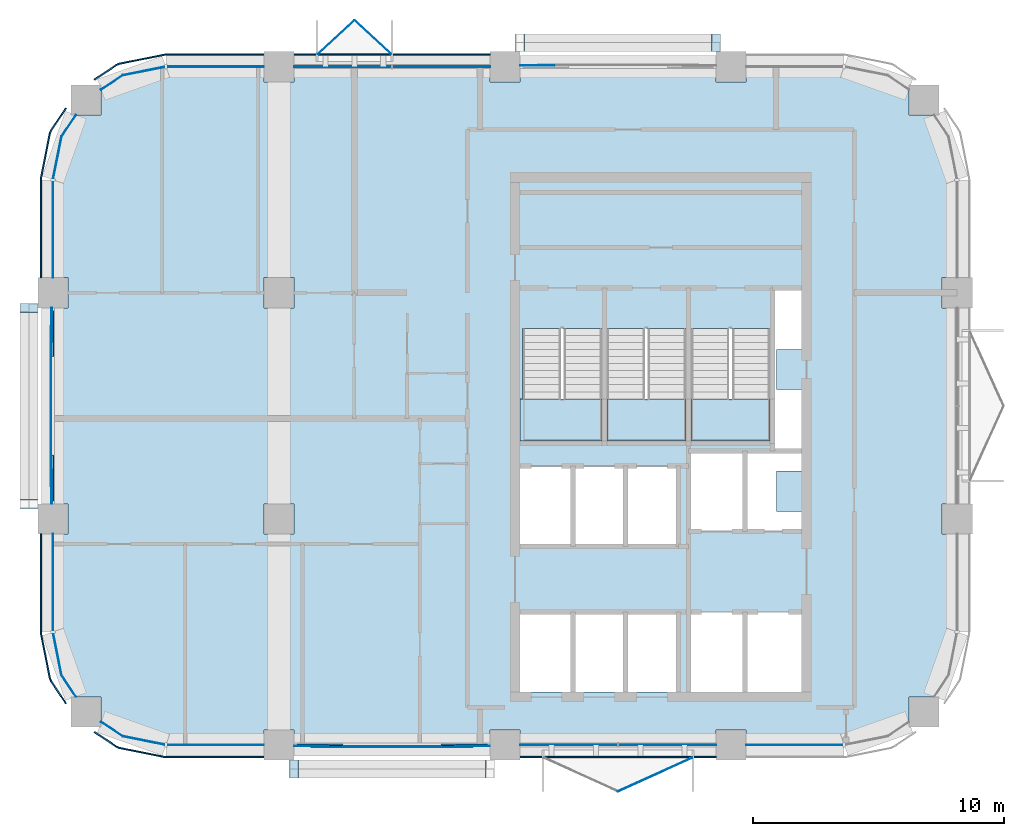
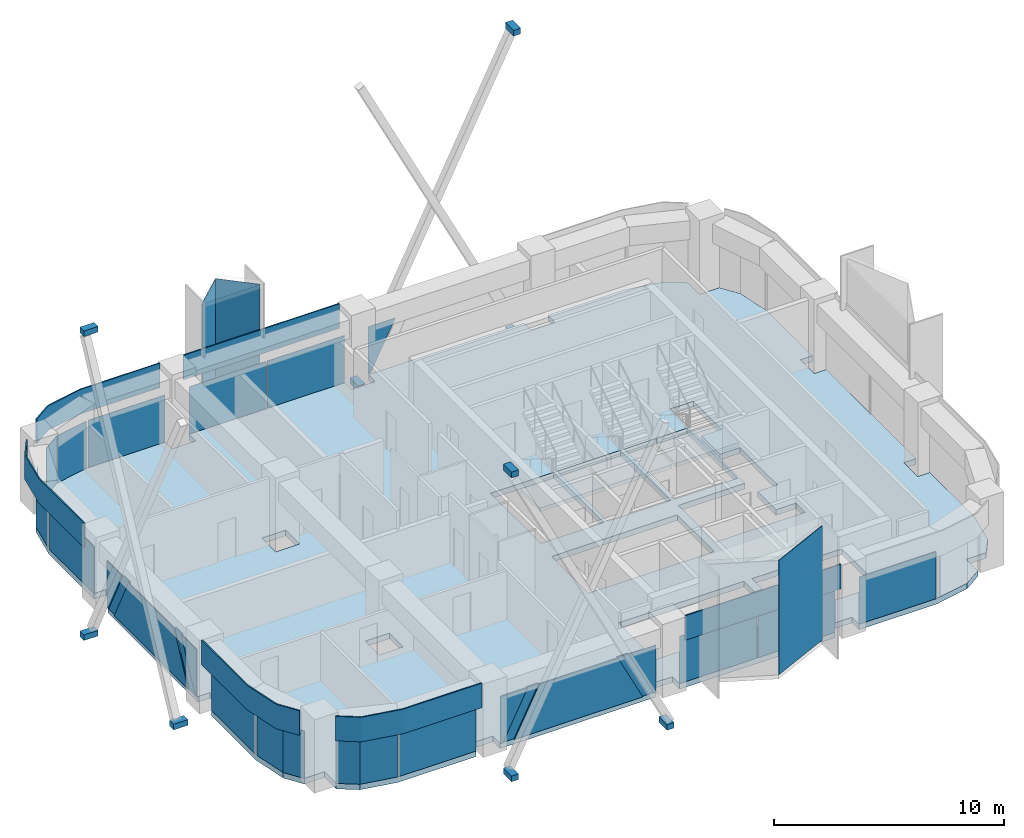
# One storey, part 6 of 11: 33 plates, 9 members, 4 slabs, 13 elements without a shape of their own.
"""IFC4 building model written with IfcOpenShell, lengths in metres."""

from ifc_helpers import new_model, si_unit, direction, frame, origin, origin_2d, place, context, subcontext, project, spatial, polyline, rectangle, outline, extrude, material, layer, layer_set, type_object, element, aggregate, save


model = new_model("IFC4")

# Units and contexts
model_context = context("Model", 3, precision=1e-05, world=origin(), true_north=direction((0.0, 1.0)))
body_context = subcontext(model_context, "Body", "Model", "MODEL_VIEW")
ifc_project = project(units=[si_unit("LENGTHUNIT", "METRE"), si_unit("AREAUNIT", "SQUARE_METRE"), si_unit("VOLUMEUNIT", "CUBIC_METRE"), si_unit("PLANEANGLEUNIT", "RADIAN"), si_unit("MASSUNIT", "GRAM", prefix="KILO")], contexts=[model_context])

# Site, building, storey
site_placement = place(None, origin())
site = spatial("IfcSite", under=ifc_project, at=site_placement, CompositionType="ELEMENT")
building_placement = place(site_placement, origin())
building = spatial("IfcBuilding", under=site, at=building_placement, Name="Tessera Arch", CompositionType="ELEMENT")
storey_placement = place(building_placement, frame((0.0, 0.0, 250.10009765625)))
storey = spatial("IfcBuildingStorey", under=building, at=storey_placement, Name="L60", CompositionType="ELEMENT", Elevation=250.10009765625)

# Members
ifc_material_1 = material(Name="Steel A572 Gr50", Category="steel")
ifc_layer_1 = layer(ifc_material_1, 0.050048828125)
ifc_layer_set_1 = layer_set([ifc_layer_1], Name="Node block Steel A572 Gr50")
member_type = type_object("IfcMemberType", Name="Node block Steel A572 Gr50", PredefinedType="PLATE", material=ifc_layer_set_1)
for number, where, z_axis, x_axis, name in (
    (1, (36.60009765625, 54.95556640625, -1.2021484375), (0.0, 0.0, 1.0), (-1.0, 0.0, 0.0), "Node block seat N54.18-1 1 L60"),
    (2, (44.39990234375, 54.95556640625, -1.2021484375), (0.0, 0.0, 1.0), (-1.0, 0.0, 0.0), "Node block seat N54.18-1 2 L60"),
    (3, (44.39990234375, 54.95556640625, 14.90185546875), (0.0, 0.0, 1.0), (-1.0, 0.0, 0.0), "Node block head N54.18-1 B L60"),
    (4, (17.04443359375, 36.60009765625, -1.2021484375), (0.0, 0.0, 1.0), (0.0, -1.0, 0.0), "Node block seat W18.27-1 1 L60"),
    (5, (17.04443359375, 44.39990234375, -1.2021484375), (0.0, 0.0, 1.0), (0.0, -1.0, 0.0), "Node block seat W18.27-1 2 L60"),
    (6, (17.04443359375, 44.39990234375, 14.90185546875), (0.0, 0.0, 1.0), (0.0, -1.0, 0.0), "Node block head W18.27-1 B L60"),
    (7, (35.39990234375, 26.04443359375, -1.2021484375), (0.0, 0.0, 1.0), (1.0, 0.0, 0.0), "Node block seat S27.18-1 1 L60"),
    (8, (27.60009765625, 26.04443359375, -1.2021484375), (0.0, 0.0, 1.0), (1.0, 0.0, 0.0), "Node block seat S27.18-1 2 L60"),
    (9, (27.60009765625, 26.04443359375, 14.90185546875), (0.0, 0.0, 1.0), (1.0, 0.0, 0.0), "Node block head S27.18-1 B L60"),
):
    element("IfcMember", number, at=place(storey_placement, frame(where, z_axis=z_axis, x_axis=x_axis)), inside=storey, type_object=member_type, Name=name, PredefinedType="PLATE", context=body_context, shape_type="SweptSolid", body=[
        extrude(rectangle(XDim=0.355712890625, YDim=0.711181640625, at=origin_2d()), origin(), (0.0, 0.0, 1.0), 0.300048828125),
    ])

# Curtain wall, plates
ifc_material_2 = material(Name="CW1 curtain wall")
curtain_wall_type_1 = type_object("IfcCurtainWallType", Name="CW1 curtain wall", PredefinedType="NOTDEFINED", material=ifc_material_2)
curtain_wall_1_placement = place(storey_placement, origin())
curtain_wall_1 = element("IfcCurtainWall", 10, at=curtain_wall_1_placement, inside=storey, type_object=curtain_wall_type_1, Name="CW1 curtain wall N54.18/2 L60", PredefinedType="NOTDEFINED")
ifc_material_3 = material(Name="Clear low-e glass", Category="glass")
ifc_material_4 = material(Name="Clear low-e glass", Category="glass")
ifc_layer_2 = layer(ifc_material_4, 0.028076171875)
ifc_layer_set_2 = layer_set([ifc_layer_2], Name="CW1 glass panel")
plate_type_1 = type_object("IfcPlateType", Name="CW1 glass panel", PredefinedType="CURTAIN_PANEL", material=ifc_layer_set_2)
plate_1_placement = place(storey_placement, frame((33.465087890625, 54.0, 0.0), z_axis=(0.0, 0.0, 1.0), x_axis=(-1.0, 0.0, 0.0)))
plate_1 = element("IfcPlate", 11, at=plate_1_placement, type_object=plate_type_1, material=ifc_material_3, Name="CW1 glass panel N54.18/2 1.1.1", PredefinedType="CURTAIN_PANEL", context=body_context, shape_type="SweptSolid", body=[
    extrude(rectangle(XDim=3.8701171875, YDim=0.028076171875, at=origin_2d()), origin(), (0.0, 0.0, 1.0), 2.5),
])
plate_2_placement = place(storey_placement, frame((29.534912109375, 54.0, 0.0), z_axis=(0.0, 0.0, 1.0), x_axis=(-1.0, 0.0, 0.0)))
plate_2 = element("IfcPlate", 12, at=plate_2_placement, type_object=plate_type_1, material=ifc_material_3, Name="CW1 glass panel N54.18/2 1.2.1", PredefinedType="CURTAIN_PANEL", context=body_context, shape_type="SweptSolid", body=[
    extrude(rectangle(XDim=3.8701171875, YDim=0.028076171875, at=origin_2d()), origin(), (0.0, 0.0, 1.0), 2.5),
])

curtain_wall_2_placement = place(storey_placement, origin())
curtain_wall_2 = element("IfcCurtainWall", 13, at=curtain_wall_2_placement, inside=storey, type_object=curtain_wall_type_1, Name="CW1 curtain wall S27.18/2 L60", PredefinedType="NOTDEFINED")
plate_3_placement = place(storey_placement, frame((38.534912109375, 27.0, 0.0), z_axis=(0.0, 0.0, 1.0), x_axis=(1.0, 0.0, 0.0)))
plate_3 = element("IfcPlate", 14, at=plate_3_placement, type_object=plate_type_1, material=ifc_material_3, Name="CW1 glass panel S27.18/2 1.1.1", PredefinedType="CURTAIN_PANEL", context=body_context, shape_type="SweptSolid", body=[
    extrude(rectangle(XDim=3.8701171875, YDim=0.028076171875, at=origin_2d()), origin(), (0.0, 0.0, 1.0), 2.5),
])
plate_4_placement = place(storey_placement, frame((42.465087890625, 27.0, 0.0), z_axis=(0.0, 0.0, 1.0), x_axis=(1.0, 0.0, 0.0)))
plate_4 = element("IfcPlate", 15, at=plate_4_placement, type_object=plate_type_1, material=ifc_material_3, Name="CW1 glass panel S27.18/2 1.2.1", PredefinedType="CURTAIN_PANEL", context=body_context, shape_type="SweptSolid", body=[
    extrude(rectangle(XDim=3.8701171875, YDim=0.028076171875, at=origin_2d()), origin(), (0.0, 0.0, 1.0), 2.5),
])

# Plate
ifc_material_5 = material(Name="Pale anodised aluminium panel", Category="aluminium")
ifc_layer_3 = layer(ifc_material_5, 0.06005859375)
ifc_layer_set_3 = layer_set([ifc_layer_3], Name="CW1 spandrel panel")
plate_type_2 = type_object("IfcPlateType", Name="CW1 spandrel panel", PredefinedType="CURTAIN_PANEL", material=ifc_layer_set_3)
plate_5_placement = place(storey_placement, frame((31.5, 54.47998046875, 2.60009765625), z_axis=(0.0, 0.0, 1.0), x_axis=(-1.0, 0.0, 0.0)))
plate_5 = element("IfcPlate", 16, at=plate_5_placement, type_object=plate_type_2, Name="CW1 spandrel panel N54.18/2", PredefinedType="CURTAIN_PANEL", context=body_context, shape_type="SweptSolid", body=[
    extrude(rectangle(XDim=7.800048828125, YDim=0.06005859375, at=origin_2d()), origin(), (0.0, 0.0, 1.0), 1.300048828125),
])

aggregate(curtain_wall_1, [plate_1, plate_2, plate_5])

plate_6_placement = place(storey_placement, frame((40.5, 26.52001953125, 2.60009765625), z_axis=(0.0, 0.0, 1.0), x_axis=(1.0, 0.0, 0.0)))
plate_6 = element("IfcPlate", 17, at=plate_6_placement, type_object=plate_type_2, Name="CW1 spandrel panel S27.18/2", PredefinedType="CURTAIN_PANEL", context=body_context, shape_type="SweptSolid", body=[
    extrude(rectangle(XDim=7.800048828125, YDim=0.06005859375, at=origin_2d()), origin(), (0.0, 0.0, 1.0), 1.300048828125),
])

aggregate(curtain_wall_2, [plate_3, plate_4, plate_6])

# Curtain wall, plates
ifc_material_6 = material(Name="CW2 curtain wall")
curtain_wall_type_2 = type_object("IfcCurtainWallType", Name="CW2 curtain wall", PredefinedType="NOTDEFINED", material=ifc_material_6)
curtain_wall_3_placement = place(storey_placement, origin())
curtain_wall_3 = element("IfcCurtainWall", 18, at=curtain_wall_3_placement, inside=storey, type_object=curtain_wall_type_2, Name="CW2 curtain wall N54.18/3 L60", PredefinedType="NOTDEFINED")
ifc_material_7 = material(Name="Clear low-e glass", Category="glass")
ifc_layer_4 = layer(ifc_material_7, 0.028076171875)
ifc_layer_set_4 = layer_set([ifc_layer_4], Name="CW2 glass panel")
plate_type_3 = type_object("IfcPlateType", Name="CW2 glass panel", PredefinedType="CURTAIN_PANEL", material=ifc_layer_set_4)
plate_7_placement = place(storey_placement, frame((24.469970703125, 54.0, 0.0), z_axis=(0.0, 0.0, 1.0), x_axis=(-1.0, 0.0, 0.0)))
plate_7 = element("IfcPlate", 19, at=plate_7_placement, type_object=plate_type_3, material=ifc_material_3, Name="CW2 glass panel N54.18/3 1.1", PredefinedType="CURTAIN_PANEL", context=body_context, shape_type="SweptSolid", body=[
    extrude(rectangle(XDim=3.860107421875, YDim=0.028076171875, at=origin_2d()), origin(), (0.0, 0.0, 1.0), 2.5),
])
plate_8_placement = place(storey_placement, origin())
plate_8 = element("IfcPlate", 20, at=plate_8_placement, type_object=plate_type_3, material=ifc_material_3, Name="CW2 curved glass panel N54.18/3 2.1", PredefinedType="CURTAIN_PANEL", context=body_context, shape_type="SweptSolid", body=[
    extrude(outline(polyline([(20.783447265625, 53.644287109375), (22.46337890625, 53.978515625), (22.4580078125, 54.005859375), (20.7724609375, 53.670654296875), (19.91015625, 53.094482421875), (19.92578125, 53.0712890625), (20.783447265625, 53.644287109375)])), origin(), (0.0, 0.0, 1.0), 2.5),
])

curtain_wall_4_placement = place(storey_placement, origin())
curtain_wall_4 = element("IfcCurtainWall", 21, at=curtain_wall_4_placement, inside=storey, type_object=curtain_wall_type_2, Name="CW2 curtain wall W18.27/0 L60", PredefinedType="NOTDEFINED")
plate_9_placement = place(storey_placement, frame((18.0, 47.530029296875, 0.0), z_axis=(0.0, 0.0, 1.0), x_axis=(0.0, -1.0, 0.0)))
plate_9 = element("IfcPlate", 22, at=plate_9_placement, type_object=plate_type_3, material=ifc_material_3, Name="CW2 glass panel W18.27/0 1.1", PredefinedType="CURTAIN_PANEL", context=body_context, shape_type="SweptSolid", body=[
    extrude(rectangle(XDim=3.860107421875, YDim=0.028076171875, at=origin_2d()), origin(), (0.0, 0.0, 1.0), 2.5),
])
plate_10_placement = place(storey_placement, origin())
plate_10 = element("IfcPlate", 23, at=plate_10_placement, type_object=plate_type_3, material=ifc_material_3, Name="CW2 curved glass panel W18.27/0 2.1", PredefinedType="CURTAIN_PANEL", context=body_context, shape_type="SweptSolid", body=[
    extrude(outline(polyline([(18.355712890625, 51.216552734375), (18.9287109375, 52.07421875), (18.905517578125, 52.08984375), (18.329345703125, 51.2275390625), (17.994140625, 49.5419921875), (18.021484375, 49.53662109375), (18.355712890625, 51.216552734375)])), origin(), (0.0, 0.0, 1.0), 2.5),
])

curtain_wall_5_placement = place(storey_placement, origin())
curtain_wall_5 = element("IfcCurtainWall", 24, at=curtain_wall_5_placement, inside=storey, type_object=curtain_wall_type_2, Name="CW2 curtain wall W18.27/2 L60", PredefinedType="NOTDEFINED")
plate_11_placement = place(storey_placement, frame((18.0, 33.469970703125, 0.0), z_axis=(0.0, 0.0, 1.0), x_axis=(0.0, -1.0, 0.0)))
plate_11 = element("IfcPlate", 25, at=plate_11_placement, type_object=plate_type_3, material=ifc_material_3, Name="CW2 glass panel W18.27/2 1.1", PredefinedType="CURTAIN_PANEL", context=body_context, shape_type="SweptSolid", body=[
    extrude(rectangle(XDim=3.860107421875, YDim=0.028076171875, at=origin_2d()), origin(), (0.0, 0.0, 1.0), 2.5),
])
plate_12_placement = place(storey_placement, origin())
plate_12 = element("IfcPlate", 26, at=plate_12_placement, type_object=plate_type_3, material=ifc_material_3, Name="CW2 curved glass panel W18.27/2 2.1", PredefinedType="CURTAIN_PANEL", context=body_context, shape_type="SweptSolid", body=[
    extrude(outline(polyline([(18.355712890625, 29.783447265625), (18.021484375, 31.46337890625), (17.994140625, 31.4580078125), (18.329345703125, 29.7724609375), (18.905517578125, 28.91015625), (18.9287109375, 28.92578125), (18.355712890625, 29.783447265625)])), origin(), (0.0, 0.0, 1.0), 2.5),
])

curtain_wall_6_placement = place(storey_placement, origin())
curtain_wall_6 = element("IfcCurtainWall", 27, at=curtain_wall_6_placement, inside=storey, type_object=curtain_wall_type_2, Name="CW2 curtain wall S27.18/0 L60", PredefinedType="NOTDEFINED")
plate_13_placement = place(storey_placement, frame((24.469970703125, 27.0, 0.0), z_axis=(0.0, 0.0, 1.0), x_axis=(1.0, 0.0, 0.0)))
plate_13 = element("IfcPlate", 28, at=plate_13_placement, type_object=plate_type_3, material=ifc_material_3, Name="CW2 glass panel S27.18/0 1.1", PredefinedType="CURTAIN_PANEL", context=body_context, shape_type="SweptSolid", body=[
    extrude(rectangle(XDim=3.860107421875, YDim=0.028076171875, at=origin_2d()), origin(), (0.0, 0.0, 1.0), 2.5),
])
plate_14_placement = place(storey_placement, origin())
plate_14 = element("IfcPlate", 29, at=plate_14_placement, type_object=plate_type_3, material=ifc_material_3, Name="CW2 curved glass panel S27.18/0 2.1", PredefinedType="CURTAIN_PANEL", context=body_context, shape_type="SweptSolid", body=[
    extrude(outline(polyline([(20.783447265625, 27.355712890625), (19.92578125, 27.9287109375), (19.91015625, 27.905517578125), (20.7724609375, 27.329345703125), (22.4580078125, 26.994140625), (22.46337890625, 27.021484375), (20.783447265625, 27.355712890625)])), origin(), (0.0, 0.0, 1.0), 2.5),
])

# Curtain wall, plate
curtain_wall_7_placement = place(storey_placement, origin())
curtain_wall_7 = element("IfcCurtainWall", 30, at=curtain_wall_7_placement, inside=storey, type_object=curtain_wall_type_2, Name="CW2 curtain wall S27.18/3 L60", PredefinedType="NOTDEFINED")
plate_15_placement = place(storey_placement, frame((47.530029296875, 27.0, 0.0), z_axis=(0.0, 0.0, 1.0), x_axis=(1.0, 0.0, 0.0)))
plate_15 = element("IfcPlate", 31, at=plate_15_placement, type_object=plate_type_3, material=ifc_material_3, Name="CW2 glass panel S27.18/3 1.1", PredefinedType="CURTAIN_PANEL", context=body_context, shape_type="SweptSolid", body=[
    extrude(rectangle(XDim=3.860107421875, YDim=0.028076171875, at=origin_2d()), origin(), (0.0, 0.0, 1.0), 2.5),
])
aggregate(curtain_wall_7, [plate_15])

# Plate
ifc_material_8 = material(Name="Pale anodised aluminium panel", Category="aluminium")
ifc_layer_5 = layer(ifc_material_8, 0.06005859375)
ifc_layer_set_5 = layer_set([ifc_layer_5], Name="CW2 spandrel panel")
plate_type_4 = type_object("IfcPlateType", Name="CW2 spandrel panel", PredefinedType="CURTAIN_PANEL", material=ifc_layer_set_5)
plate_16_placement = place(storey_placement, frame((0.0, 0.0, 2.599853515625)))
plate_16 = element("IfcPlate", 32, at=plate_16_placement, type_object=plate_type_4, Name="CW2 spandrel panel N54.18/3", PredefinedType="CURTAIN_PANEL", context=body_context, shape_type="SweptSolid", body=[
    extrude(outline(polyline([(22.500732421875, 54.449951171875), (26.39990234375, 54.449951171875), (26.39990234375, 54.510009765625), (22.499267578125, 54.510009765625), (22.449951171875, 54.507568359375), (22.401123046875, 54.500244140625), (20.677734375, 54.157470703125), (20.6298828125, 54.1455078125), (20.582763671875, 54.128662109375), (20.537353515625, 54.107421875), (20.4951171875, 54.08203125), (19.634765625, 53.5068359375), (19.66796875, 53.45703125), (20.52734375, 54.03125), (20.565673828125, 54.054443359375), (20.605712890625, 54.0732421875), (20.647216796875, 54.088134765625), (20.69091796875, 54.09912109375), (22.411376953125, 54.441162109375), (22.455810546875, 54.44775390625), (22.500732421875, 54.449951171875)])), origin(), (0.0, 0.0, 1.0), 1.300048828125),
])

aggregate(curtain_wall_3, [plate_7, plate_8, plate_16])

plate_17_placement = place(storey_placement, frame((0.0, 0.0, 2.599853515625)))
plate_17 = element("IfcPlate", 33, at=plate_17_placement, type_object=plate_type_4, Name="CW2 spandrel panel W18.27/0", PredefinedType="CURTAIN_PANEL", context=body_context, shape_type="SweptSolid", body=[
    extrude(outline(polyline([(17.96875, 51.47265625), (18.54296875, 52.33203125), (18.4931640625, 52.365234375), (17.91796875, 51.5048828125), (17.892578125, 51.462646484375), (17.871337890625, 51.417236328125), (17.8544921875, 51.3701171875), (17.842529296875, 51.322265625), (17.499755859375, 49.598876953125), (17.492431640625, 49.550048828125), (17.489990234375, 49.500732421875), (17.489990234375, 45.60009765625), (17.550048828125, 45.60009765625), (17.550048828125, 49.499267578125), (17.55224609375, 49.544189453125), (17.558837890625, 49.588623046875), (17.90087890625, 51.30908203125), (17.911865234375, 51.352783203125), (17.9267578125, 51.394287109375), (17.945556640625, 51.434326171875), (17.96875, 51.47265625)])), origin(), (0.0, 0.0, 1.0), 1.300048828125),
])

aggregate(curtain_wall_4, [plate_9, plate_10, plate_17])

plate_18_placement = place(storey_placement, frame((0.0, 0.0, 2.599853515625)))
plate_18 = element("IfcPlate", 34, at=plate_18_placement, type_object=plate_type_4, Name="CW2 spandrel panel W18.27/2", PredefinedType="CURTAIN_PANEL", context=body_context, shape_type="SweptSolid", body=[
    extrude(outline(polyline([(17.550048828125, 31.500732421875), (17.550048828125, 35.39990234375), (17.489990234375, 35.39990234375), (17.489990234375, 31.499267578125), (17.492431640625, 31.449951171875), (17.499755859375, 31.401123046875), (17.842529296875, 29.677734375), (17.8544921875, 29.6298828125), (17.871337890625, 29.582763671875), (17.892578125, 29.537353515625), (17.91796875, 29.4951171875), (18.4931640625, 28.634765625), (18.54296875, 28.66796875), (17.96875, 29.52734375), (17.945556640625, 29.565673828125), (17.9267578125, 29.605712890625), (17.911865234375, 29.647216796875), (17.90087890625, 29.69091796875), (17.558837890625, 31.411376953125), (17.55224609375, 31.455810546875), (17.550048828125, 31.500732421875)])), origin(), (0.0, 0.0, 1.0), 1.300048828125),
])

aggregate(curtain_wall_5, [plate_11, plate_12, plate_18])

plate_19_placement = place(storey_placement, frame((0.0, 0.0, 2.599853515625)))
plate_19 = element("IfcPlate", 35, at=plate_19_placement, type_object=plate_type_4, Name="CW2 spandrel panel S27.18/0", PredefinedType="CURTAIN_PANEL", context=body_context, shape_type="SweptSolid", body=[
    extrude(outline(polyline([(20.52734375, 26.96875), (19.66796875, 27.54296875), (19.634765625, 27.4931640625), (20.4951171875, 26.91796875), (20.537353515625, 26.892578125), (20.582763671875, 26.871337890625), (20.6298828125, 26.8544921875), (20.677734375, 26.842529296875), (22.401123046875, 26.499755859375), (22.449951171875, 26.492431640625), (22.499267578125, 26.489990234375), (26.39990234375, 26.489990234375), (26.39990234375, 26.550048828125), (22.500732421875, 26.550048828125), (22.455810546875, 26.55224609375), (22.411376953125, 26.558837890625), (20.69091796875, 26.90087890625), (20.647216796875, 26.911865234375), (20.605712890625, 26.9267578125), (20.565673828125, 26.945556640625), (20.52734375, 26.96875)])), origin(), (0.0, 0.0, 1.0), 1.300048828125),
])

aggregate(curtain_wall_6, [plate_13, plate_14, plate_19])

# Curtain wall, plates
ifc_material_9 = material(Name="CW3 curtain wall")
curtain_wall_type_3 = type_object("IfcCurtainWallType", Name="CW3 curtain wall", PredefinedType="NOTDEFINED", material=ifc_material_9)
curtain_wall_8_placement = place(storey_placement, origin())
curtain_wall_8 = element("IfcCurtainWall", 36, at=curtain_wall_8_placement, inside=storey, type_object=curtain_wall_type_3, Name="CW3 curtain wall W18.27/1 L60", PredefinedType="NOTDEFINED")
ifc_material_10 = material(Name="Pale anodised aluminium panel", Category="aluminium")
ifc_layer_6 = layer(ifc_material_10, 0.06005859375)
ifc_layer_set_6 = layer_set([ifc_layer_6], Name="CW3 diagonal panel")
plate_type_5 = type_object("IfcPlateType", Name="CW3 diagonal panel", PredefinedType="CURTAIN_PANEL", material=ifc_layer_set_6)
plate_20_placement = place(storey_placement, frame((17.969970703125, 37.9677734375, 2.5), z_axis=(-1.0, 0.0, 0.0), x_axis=(0.0, 1.0, 0.0)))
plate_20 = element("IfcPlate", 37, at=plate_20_placement, type_object=plate_type_5, Name="CW3 diagonal panel W18.27/1 1", PredefinedType="CURTAIN_PANEL", context=body_context, shape_type="SweptSolid", body=[
    extrude(outline(polyline([(0.0, 0.0), (0.564453125, 0.0), (-0.685546875, 2.5), (-1.25, 2.5), (0.0, 0.0)])), origin(), (0.0, 0.0, -1.0), 0.06005859375),
])
plate_21_placement = place(storey_placement, frame((17.969970703125, 42.4677734375, 2.5), z_axis=(-1.0, 0.0, 0.0), x_axis=(0.0, 1.0, 0.0)))
plate_21 = element("IfcPlate", 38, at=plate_21_placement, type_object=plate_type_5, Name="CW3 diagonal panel W18.27/1 2", PredefinedType="CURTAIN_PANEL", context=body_context, shape_type="SweptSolid", body=[
    extrude(outline(polyline([(0.0, 0.0), (0.564453125, 0.0), (1.814453125, 2.5), (1.25, 2.5), (0.0, 0.0)])), origin(), (0.0, 0.0, -1.0), 0.06005859375),
])

curtain_wall_9_placement = place(storey_placement, origin())
curtain_wall_9 = element("IfcCurtainWall", 39, at=curtain_wall_9_placement, inside=storey, type_object=curtain_wall_type_3, Name="CW3 curtain wall S27.18/1 L60", PredefinedType="NOTDEFINED")
plate_22_placement = place(storey_placement, frame((34.0322265625, 26.969970703125, 2.5), z_axis=(0.0, -1.0, 0.0), x_axis=(-1.0, 0.0, 0.0)))
plate_22 = element("IfcPlate", 40, at=plate_22_placement, type_object=plate_type_5, Name="CW3 diagonal panel S27.18/1 1", PredefinedType="CURTAIN_PANEL", context=body_context, shape_type="SweptSolid", body=[
    extrude(outline(polyline([(0.0, 0.0), (0.564453125, 0.0), (-0.685546875, 2.5), (-1.25, 2.5), (0.0, 0.0)])), origin(), (0.0, 0.0, -1.0), 0.06005859375),
])
plate_23_placement = place(storey_placement, frame((29.5322265625, 26.969970703125, 2.5), z_axis=(0.0, -1.0, 0.0), x_axis=(-1.0, 0.0, 0.0)))
plate_23 = element("IfcPlate", 41, at=plate_23_placement, type_object=plate_type_5, Name="CW3 diagonal panel S27.18/1 2", PredefinedType="CURTAIN_PANEL", context=body_context, shape_type="SweptSolid", body=[
    extrude(outline(polyline([(0.0, 0.0), (0.564453125, 0.0), (1.814453125, 2.5), (1.25, 2.5), (0.0, 0.0)])), origin(), (0.0, 0.0, -1.0), 0.06005859375),
])

# Curtain wall, plate
curtain_wall_10_placement = place(storey_placement, origin())
curtain_wall_10 = element("IfcCurtainWall", 42, at=curtain_wall_10_placement, inside=storey, type_object=curtain_wall_type_3, Name="CW3 curtain wall N54.18/1 L60", PredefinedType="NOTDEFINED")
ifc_material_11 = material(Name="Clear low-e glass", Category="glass")
ifc_layer_7 = layer(ifc_material_11, 0.028076171875)
ifc_layer_set_7 = layer_set([ifc_layer_7], Name="CW3 glass panel")
plate_type_6 = type_object("IfcPlateType", Name="CW3 glass panel", PredefinedType="CURTAIN_PANEL", material=ifc_layer_set_7)
plate_24_placement = place(storey_placement, frame((36.60009765625, 54.05810546875, 2.5), z_axis=(0.0, 1.0, 0.0), x_axis=(1.0, 0.0, 0.0)))
plate_24 = element("IfcPlate", 43, at=plate_24_placement, type_object=plate_type_6, material=ifc_material_3, Name="CW3 triangulated glass panel N54.18/1 3", PredefinedType="CURTAIN_PANEL", context=body_context, shape_type="SweptSolid", body=[
    extrude(outline(polyline([(0.0, 0.0), (1.36767578125, 0.0), (0.11767578125, 2.5), (0.0, 2.5), (0.0, 0.0)])), origin(), (0.0, 0.0, -1.0), 0.028076171875),
])
aggregate(curtain_wall_10, [plate_24])

# Plate
plate_25_placement = place(storey_placement, frame((17.94189453125, 44.39990234375, 0.0), z_axis=(-1.0, 0.0, 0.0), x_axis=(0.0, -1.0, 0.0)))
plate_25 = element("IfcPlate", 44, at=plate_25_placement, type_object=plate_type_6, material=ifc_material_3, Name="CW3 triangulated glass panel W18.27/1 1", PredefinedType="CURTAIN_PANEL", context=body_context, shape_type="SweptSolid", body=[
    extrude(outline(polyline([(0.0, 0.0), (0.11767578125, 0.0), (1.36767578125, 2.5), (0.0, 2.5), (0.0, 0.0)])), origin(), (0.0, 0.0, -1.0), 0.028076171875),
])

plate_26_placement = place(storey_placement, frame((17.9140625, 38.5322265625, 2.5), z_axis=(-1.0, 0.0, 0.0), x_axis=(0.0, 1.0, 0.0)))
plate_26 = element("IfcPlate", 45, at=plate_26_placement, type_object=plate_type_6, material=ifc_material_3, Name="CW3 triangulated glass panel W18.27/1 2", PredefinedType="CURTAIN_PANEL", context=body_context, shape_type="SweptSolid", body=[
    extrude(outline(polyline([(0.0, 0.0), (3.935546875, 0.0), (5.185546875, 2.5), (-1.25, 2.5), (0.0, 0.0)])), origin(), (0.0, 0.0, -1.0), 0.028076171875),
])

plate_27_placement = place(storey_placement, frame((17.94189453125, 36.60009765625, 2.5), z_axis=(-1.0, 0.0, 0.0), x_axis=(0.0, 1.0, 0.0)))
plate_27 = element("IfcPlate", 46, at=plate_27_placement, type_object=plate_type_6, material=ifc_material_3, Name="CW3 triangulated glass panel W18.27/1 3", PredefinedType="CURTAIN_PANEL", context=body_context, shape_type="SweptSolid", body=[
    extrude(outline(polyline([(0.0, 0.0), (1.36767578125, 0.0), (0.11767578125, 2.5), (0.0, 2.5), (0.0, 0.0)])), origin(), (0.0, 0.0, -1.0), 0.028076171875),
])

aggregate(curtain_wall_8, [plate_25, plate_26, plate_27, plate_20, plate_21])

plate_28_placement = place(storey_placement, frame((27.60009765625, 26.94189453125, 0.0), z_axis=(0.0, -1.0, 0.0), x_axis=(1.0, 0.0, 0.0)))
plate_28 = element("IfcPlate", 47, at=plate_28_placement, type_object=plate_type_6, material=ifc_material_3, Name="CW3 triangulated glass panel S27.18/1 1", PredefinedType="CURTAIN_PANEL", context=body_context, shape_type="SweptSolid", body=[
    extrude(outline(polyline([(0.0, 0.0), (0.11767578125, 0.0), (1.36767578125, 2.5), (0.0, 2.5), (0.0, 0.0)])), origin(), (0.0, 0.0, -1.0), 0.028076171875),
])

plate_29_placement = place(storey_placement, frame((33.4677734375, 26.9140625, 2.5), z_axis=(0.0, -1.0, 0.0), x_axis=(-1.0, 0.0, 0.0)))
plate_29 = element("IfcPlate", 48, at=plate_29_placement, type_object=plate_type_6, material=ifc_material_3, Name="CW3 triangulated glass panel S27.18/1 2", PredefinedType="CURTAIN_PANEL", context=body_context, shape_type="SweptSolid", body=[
    extrude(outline(polyline([(0.0, 0.0), (3.935546875, 0.0), (5.185546875, 2.5), (-1.25, 2.5), (0.0, 0.0)])), origin(), (0.0, 0.0, -1.0), 0.028076171875),
])

plate_30_placement = place(storey_placement, frame((35.39990234375, 26.94189453125, 2.5), z_axis=(0.0, -1.0, 0.0), x_axis=(-1.0, 0.0, 0.0)))
plate_30 = element("IfcPlate", 49, at=plate_30_placement, type_object=plate_type_6, material=ifc_material_3, Name="CW3 triangulated glass panel S27.18/1 3", PredefinedType="CURTAIN_PANEL", context=body_context, shape_type="SweptSolid", body=[
    extrude(outline(polyline([(0.0, 0.0), (1.36767578125, 0.0), (0.11767578125, 2.5), (0.0, 2.5), (0.0, 0.0)])), origin(), (0.0, 0.0, -1.0), 0.028076171875),
])

aggregate(curtain_wall_9, [plate_28, plate_29, plate_30, plate_22, plate_23])

# Slab
ifc_material_12 = material(Name="Concrete C40/50", Category="concrete")
ifc_layer_8 = layer(ifc_material_12, 0.300048828125)
ifc_layer_set_8 = layer_set([ifc_layer_8], Name="Floor slab 300 Concrete C40/50")
slab_type_1 = type_object("IfcSlabType", Name="Floor slab 300 Concrete C40/50", PredefinedType="FLOOR", material=ifc_layer_set_8)
slab_1_placement = place(storey_placement, frame((0.0, 0.0, -0.300048828125)))
element("IfcSlab", 50, at=slab_1_placement, inside=storey, type_object=slab_type_1, Name="Floor slab L60 1", PredefinedType="FLOOR", context=body_context, shape_type="SweptSolid", body=[
    extrude(outline(polyline([(54.0, 31.5), (53.657470703125, 29.77783203125), (53.0830078125, 28.91796875), (52.08203125, 28.91796875), (52.08203125, 27.9169921875), (51.22216796875, 27.342529296875), (49.5, 27.0), (45.60009765625, 27.0), (45.60009765625, 27.60009765625), (44.39990234375, 27.60009765625), (44.39990234375, 27.0), (36.60009765625, 27.0), (36.60009765625, 27.60009765625), (35.39990234375, 27.60009765625), (35.39990234375, 27.0), (27.60009765625, 27.0), (27.60009765625, 27.60009765625), (26.39990234375, 27.60009765625), (26.39990234375, 27.0), (22.5, 27.0), (20.77783203125, 27.342529296875), (19.91796875, 27.9169921875), (19.91796875, 28.91796875), (18.9169921875, 28.91796875), (18.342529296875, 29.77783203125), (18.0, 31.5), (18.0, 35.39990234375), (18.60009765625, 35.39990234375), (18.60009765625, 36.60009765625), (18.0, 36.60009765625), (18.0, 44.39990234375), (18.60009765625, 44.39990234375), (18.60009765625, 45.60009765625), (18.0, 45.60009765625), (18.0, 49.5), (18.342529296875, 51.22216796875), (18.9169921875, 52.08203125), (19.91796875, 52.08203125), (19.91796875, 53.0830078125), (20.77783203125, 53.657470703125), (22.5, 54.0), (26.39990234375, 54.0), (26.39990234375, 53.39990234375), (27.60009765625, 53.39990234375), (27.60009765625, 54.0), (35.39990234375, 54.0), (35.39990234375, 53.39990234375), (36.60009765625, 53.39990234375), (36.60009765625, 54.0), (44.39990234375, 54.0), (44.39990234375, 53.39990234375), (45.60009765625, 53.39990234375), (45.60009765625, 54.0), (49.5, 54.0), (51.22216796875, 53.657470703125), (52.08203125, 53.0830078125), (52.08203125, 52.08203125), (53.0830078125, 52.08203125), (53.657470703125, 51.22216796875), (54.0, 49.5), (54.0, 45.60009765625), (53.39990234375, 45.60009765625), (53.39990234375, 44.39990234375), (54.0, 44.39990234375), (54.0, 36.60009765625), (53.39990234375, 36.60009765625), (53.39990234375, 35.39990234375), (54.0, 35.39990234375), (54.0, 31.5)]), holes=[polyline([(40.800048828125, 29.10009765625), (42.89990234375, 29.10009765625), (42.89990234375, 32.300048828125), (40.800048828125, 32.300048828125), (38.699951171875, 32.300048828125), (36.60009765625, 32.300048828125), (36.60009765625, 29.10009765625), (38.699951171875, 29.10009765625), (40.800048828125, 29.10009765625)]), polyline([(27.60009765625, 35.39990234375), (27.60009765625, 36.60009765625), (26.39990234375, 36.60009765625), (26.39990234375, 35.39990234375), (27.60009765625, 35.39990234375)]), polyline([(40.800048828125, 34.89990234375), (42.89990234375, 34.89990234375), (42.89990234375, 38.10009765625), (40.800048828125, 38.10009765625), (38.699951171875, 38.10009765625), (36.60009765625, 38.10009765625), (36.60009765625, 34.89990234375), (38.699951171875, 34.89990234375), (40.800048828125, 34.89990234375)]), polyline([(38.219970703125, 43.580078125), (38.219970703125, 43.570068359375), (36.699951171875, 43.570068359375), (36.699951171875, 39.199951171875), (39.85009765625, 39.199951171875), (39.85009765625, 43.570068359375), (38.330078125, 43.570068359375), (38.330078125, 43.580078125), (38.219970703125, 43.580078125)]), polyline([(27.60009765625, 44.39990234375), (27.60009765625, 45.60009765625), (26.39990234375, 45.60009765625), (26.39990234375, 44.39990234375), (27.60009765625, 44.39990234375)]), polyline([(47.800048828125, 32.300048828125), (45.550048828125, 32.300048828125), (43.300048828125, 32.300048828125), (43.300048828125, 29.10009765625), (45.550048828125, 29.10009765625), (47.800048828125, 29.10009765625), (47.800048828125, 32.300048828125)]), polyline([(46.64990234375, 38.699951171875), (45.550048828125, 38.699951171875), (43.300048828125, 38.699951171875), (43.300048828125, 35.5), (45.550048828125, 35.5), (47.800048828125, 35.5), (47.800048828125, 36.300048828125), (46.800048828125, 36.300048828125), (46.800048828125, 37.89990234375), (47.800048828125, 37.89990234375), (47.800048828125, 38.699951171875), (47.800048828125, 41.14990234375), (46.800048828125, 41.14990234375), (46.800048828125, 42.75), (47.800048828125, 42.75), (47.800048828125, 45.199951171875), (46.64990234375, 45.199951171875), (46.64990234375, 38.699951171875)]), polyline([(41.570068359375, 43.580078125), (41.570068359375, 43.570068359375), (40.050048828125, 43.570068359375), (40.050048828125, 39.199951171875), (43.199951171875, 39.199951171875), (43.199951171875, 43.570068359375), (41.679931640625, 43.570068359375), (41.679931640625, 43.580078125), (41.570068359375, 43.580078125)]), polyline([(44.919921875, 43.580078125), (44.919921875, 43.570068359375), (43.39990234375, 43.570068359375), (43.39990234375, 39.199951171875), (46.550048828125, 39.199951171875), (46.550048828125, 43.570068359375), (45.030029296875, 43.570068359375), (45.030029296875, 43.580078125), (44.919921875, 43.580078125)])]), origin(), (0.0, 0.0, 1.0), 0.300048828125),
])

# Stair, slab
ifc_material_13 = material(Name="Concrete C40/50", Category="concrete")
stair_type = type_object("IfcStairType", Name="Dogleg stair 1520", PredefinedType="HALF_TURN_STAIR", material=ifc_material_13)
stair_1_placement = place(storey_placement, origin())
stair_1 = element("IfcStair", 51, at=stair_1_placement, inside=storey, type_object=stair_type, Name="L60 S1a", PredefinedType="HALF_TURN_STAIR")
ifc_material_14 = material(Name="Concrete C40/50", Category="concrete")
ifc_layer_9 = layer(ifc_material_14, 0.300048828125)
ifc_layer_set_9 = layer_set([ifc_layer_9], Name="Stair landing 300")
slab_type_2 = type_object("IfcSlabType", Name="Stair landing 300", PredefinedType="LANDING", material=ifc_layer_set_9)
slab_2_placement = place(storey_placement, frame((0.0, 0.0, 1.75)))
slab_2 = element("IfcSlab", 52, at=slab_2_placement, type_object=slab_type_2, Name="S1a landing 1", PredefinedType="LANDING", context=body_context, shape_type="SweptSolid", body=[
    extrude(outline(polyline([(36.60009765625, 40.780029296875), (36.60009765625, 39.10009765625), (39.85009765625, 39.10009765625), (39.85009765625, 40.780029296875), (36.60009765625, 40.780029296875)])), origin(), (0.0, 0.0, 1.0), 0.199951171875),
])
aggregate(stair_1, [slab_2])

stair_2_placement = place(storey_placement, origin())
stair_2 = element("IfcStair", 53, at=stair_2_placement, inside=storey, type_object=stair_type, Name="L60 S1b", PredefinedType="HALF_TURN_STAIR")
slab_3_placement = place(storey_placement, frame((0.0, 0.0, 1.75)))
slab_3 = element("IfcSlab", 54, at=slab_3_placement, type_object=slab_type_2, Name="S1b landing 1", PredefinedType="LANDING", context=body_context, shape_type="SweptSolid", body=[
    extrude(outline(polyline([(40.050048828125, 40.780029296875), (40.050048828125, 39.10009765625), (43.199951171875, 39.10009765625), (43.199951171875, 40.780029296875), (40.050048828125, 40.780029296875)])), origin(), (0.0, 0.0, 1.0), 0.199951171875),
])
aggregate(stair_2, [slab_3])

stair_3_placement = place(storey_placement, origin())
stair_3 = element("IfcStair", 55, at=stair_3_placement, inside=storey, type_object=stair_type, Name="L60 S1c", PredefinedType="HALF_TURN_STAIR")
slab_4_placement = place(storey_placement, frame((0.0, 0.0, 1.75)))
slab_4 = element("IfcSlab", 56, at=slab_4_placement, type_object=slab_type_2, Name="S1c landing 1", PredefinedType="LANDING", context=body_context, shape_type="SweptSolid", body=[
    extrude(outline(polyline([(43.39990234375, 40.780029296875), (43.39990234375, 39.10009765625), (46.550048828125, 39.10009765625), (46.550048828125, 40.780029296875), (43.39990234375, 40.780029296875)])), origin(), (0.0, 0.0, 1.0), 0.199951171875),
])
aggregate(stair_3, [slab_4])

# Plates
ifc_material_15 = material(Name="Clear low-e glass", Category="glass")
ifc_layer_10 = layer(ifc_material_15, 0.028076171875)
ifc_layer_set_10 = layer_set([ifc_layer_10], Name="Window box glass facet")
plate_type_7 = type_object("IfcPlateType", Name="Window box glass facet", PredefinedType="SHEET", material=ifc_layer_set_10)
for number, where, z_axis, x_axis, name in (
    (57, (30.72509765625, 55.179931640625, 0.219970703125), (0.0, 0.0, 1.0), (-0.734414958885, 0.678700720617, 0.0), "Window box N54.18/2.1 1x2 glass"),
    (58, (29.27490234375, 55.179931640625, 0.219970703125), (0.0, 0.0, 1.0), (0.734414958885, 0.678700720617, 0.0), "Window box N54.18/2.1 1x2 glass"),
):
    element("IfcPlate", number, at=place(storey_placement, frame(where, z_axis=z_axis, x_axis=x_axis)), inside=storey, type_object=plate_type_7, Name=name, PredefinedType="SHEET", context=body_context, shape_type="SweptSolid", body=[
        extrude(rectangle(XDim=1.974365234375, YDim=0.028076171875, at=origin_2d()), origin(), (0.0, 0.0, 1.0), 6.06005859375),
    ])
plate_31_placement = place(storey_placement, frame((41.97509765625, 25.820068359375, 0.219970703125), z_axis=(0.0, 0.0, 1.0), x_axis=(-0.910472144558, -0.413570397858, 0.0)))
element("IfcPlate", 59, at=plate_31_placement, inside=storey, type_object=plate_type_7, Name="Window box S27.18/2.0 2x2 glass", PredefinedType="SHEET", context=body_context, shape_type="SweptSolid", body=[
    extrude(rectangle(XDim=3.239990234375, YDim=0.028076171875, at=origin_2d()), origin(), (0.0, 0.0, 1.0), 6.06005859375),
])

save(model, "model.ifc")
